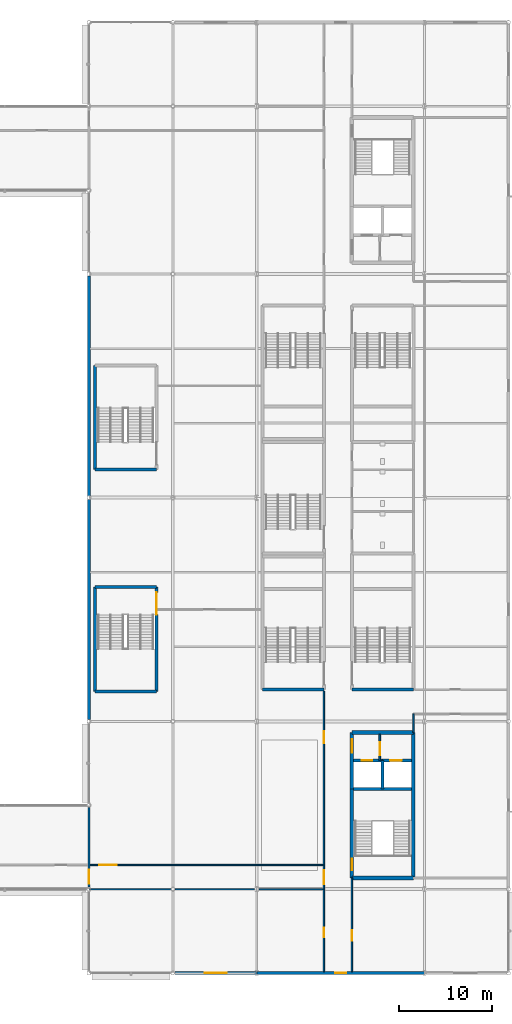
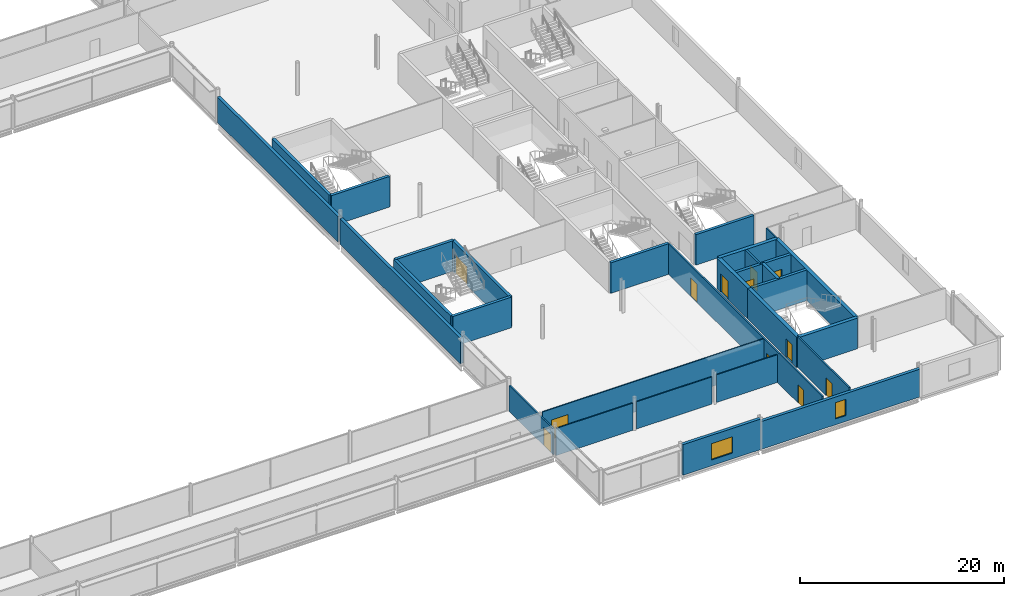
# One storey, part 60 of 96: 30 walls, 12 doors, 2 windows, 14 openings.
"""IFC4 building model written with IfcOpenShell, lengths in metres."""

from ifc_helpers import new_model, si_unit, direction, frame, frame_2d, origin, place, context, subcontext, project, spatial, rectangle, extrude, material, layer, layer_set, type_object, element, fill, save


model = new_model("IFC4")

# Units and contexts
model_context = context("Model", 3, precision=1e-05, world=origin(), true_north=direction((0.0, 1.0)))
body_context = subcontext(model_context, "Body", "Model", "MODEL_VIEW")
ifc_project = project(units=[si_unit("LENGTHUNIT", "METRE"), si_unit("AREAUNIT", "SQUARE_METRE"), si_unit("VOLUMEUNIT", "CUBIC_METRE"), si_unit("PLANEANGLEUNIT", "RADIAN"), si_unit("MASSUNIT", "GRAM", prefix="KILO")], contexts=[model_context])

# Site, building, storey
site_placement = place(None, origin())
site = spatial("IfcSite", under=ifc_project, at=site_placement, CompositionType="ELEMENT")
building_placement = place(site_placement, origin())
building = spatial("IfcBuilding", under=site, at=building_placement, Name="Kisiwana Market Hall", CompositionType="ELEMENT")
storey_placement = place(building_placement, frame((0.0, 0.0, 25.5)))
storey = spatial("IfcBuildingStorey", under=building, at=storey_placement, Name="L05", CompositionType="ELEMENT", Elevation=25.5)

# Wall, opening, door
ifc_material_1 = material(Name="Masonry blockwork", Category="masonry")
ifc_layer_1 = layer(ifc_material_1, 0.199951171875, Name="Plastered fire compartment block wall")
ifc_layer_set_1 = layer_set([ifc_layer_1], Name="WL-COMP-200")
wall_type_1 = type_object("IfcWallType", Name="WL-COMP-200", PredefinedType="PARTITIONING", material=ifc_layer_set_1)
wall_1_placement = place(storey_placement, frame((184.199951171875, 31.820068359375, 0.0), z_axis=(0.0, 0.0, 1.0), x_axis=(0.0, 1.0, 0.0)))
wall_1 = element("IfcWall", 1, at=wall_1_placement, inside=storey, type_object=wall_type_1, Name="Core E2 firefighting lobby wall W-1828", PredefinedType="PARTITIONING", context=body_context, shape_type="SweptSolid", body=[
    extrude(rectangle(XDim=2.780029296875, YDim=0.199951171875, at=frame_2d((1.39013671875, 0.0))), origin(), (0.0, 0.0, 1.0), 3.655029296875),
])
opening_1_placement = place(wall_1_placement, frame((0.550048828125, 0.0, 0.0)))
opening_1 = element("IfcOpeningElement", 2, at=opening_1_placement, cuts=wall_1, Name="Opening DR-L05-009", PredefinedType="OPENING", context=body_context, shape_type="SweptSolid", body=[
    extrude(rectangle(XDim=1.39990234375, YDim=2.25, at=frame_2d((0.699951171875, 1.125))), frame((0.0, 0.11181640625, 0.0), z_axis=(0.0, -1.0, 0.0), x_axis=(1.0, 0.0, 0.0)), (0.0, 0.0, 1.0), 0.223876953125),
])
ifc_material_2 = material(Name="Steel S275", Category="steel")
door_type_1 = type_object("IfcDoorType", Name="DR-FFLOB-FD120-1400", OperationType="DOUBLE_DOOR_SINGLE_SWING", PredefinedType="DOOR", material=ifc_material_2)
door_1_placement = place(opening_1_placement, origin())
door_1 = element("IfcDoor", 3, at=door_1_placement, inside=storey, type_object=door_type_1, Name="Firefighting Lift Lobby E2 Door (L05)", OperationType="DOUBLE_DOOR_SINGLE_SWING", OverallHeight=2.25, OverallWidth=1.39990234375, PredefinedType="DOOR", context=body_context, shape_type="SweptSolid", body=[
    extrude(rectangle(XDim=1.39990234375, YDim=2.25, at=frame_2d((0.699951171875, 1.125))), frame((0.0, 0.02490234375, 0.0), z_axis=(0.0, -1.0, 0.0), x_axis=(1.0, 0.0, 0.0)), (0.0, 0.0, 1.0), 0.050048828125),
])
fill(opening_1, door_1)

# Walls
ifc_material_3 = material(Name="Concrete C40/50", Category="concrete")
ifc_layer_2 = layer(ifc_material_3, 0.320068359375, Name="Reinforced concrete shaft wall")
ifc_layer_set_2 = layer_set([ifc_layer_2], Name="WL-CORE-320")
wall_type_2 = type_object("IfcWallType", Name="WL-CORE-320", PredefinedType="SHEAR", material=ifc_layer_set_2)
wall_2_placement = place(storey_placement, frame((181.39990234375, 28.760009765625, 0.0), z_axis=(0.0, 0.0, 1.0), x_axis=(1.0, 0.0, 0.0)))
element("IfcWall", 4, at=wall_2_placement, inside=storey, type_object=wall_type_2, Name="Core E2 shaft back shear wall W-1725", PredefinedType="SHEAR", context=body_context, shape_type="SweptSolid", body=[
    extrude(rectangle(XDim=6.2001953125, YDim=0.320068359375, at=frame_2d((3.10009765625, 0.0))), origin(), (0.0, 0.0, 1.0), 3.655029296875),
])
wall_3_placement = place(storey_placement, frame((184.5, 28.760009765625, 0.0), z_axis=(0.0, 0.0, 1.0), x_axis=(0.0, 1.0, 0.0)))
element("IfcWall", 5, at=wall_3_placement, inside=storey, type_object=wall_type_2, Name="Core E2 inter-shaft shear wall W-1726", PredefinedType="SHEAR", context=body_context, shape_type="SweptSolid", body=[
    extrude(rectangle(XDim=3.06005859375, YDim=0.320068359375, at=frame_2d((1.530029296875, 0.0))), origin(), (0.0, 0.0, 1.0), 3.655029296875),
])

# Wall, opening, door
wall_4_placement = place(storey_placement, frame((181.39990234375, 31.820068359375, 0.0), z_axis=(0.0, 0.0, 1.0), x_axis=(1.0, 0.0, 0.0)))
wall_4 = element("IfcWall", 6, at=wall_4_placement, inside=storey, type_object=wall_type_2, Name="Core E2 west lift front wall W-1727", PredefinedType="SHEAR", context=body_context, shape_type="SweptSolid", body=[
    extrude(rectangle(XDim=3.10009765625, YDim=0.320068359375, at=frame_2d((1.550048828125, 0.0))), origin(), (0.0, 0.0, 1.0), 3.655029296875),
])
opening_2_placement = place(wall_4_placement, frame((0.85009765625, 0.0, 0.0)))
opening_2 = element("IfcOpeningElement", 7, at=opening_2_placement, cuts=wall_4, Name="Opening LD-L05-005", PredefinedType="OPENING", context=body_context, shape_type="SweptSolid", body=[
    extrude(rectangle(XDim=1.14990234375, YDim=2.199951171875, at=frame_2d((0.574951171875, 1.10009765625))), frame((0.0, 0.171875, 0.0), z_axis=(0.0, -1.0, 0.0), x_axis=(1.0, 0.0, 0.0)), (0.0, 0.0, 1.0), 0.343994140625),
])
ifc_material_4 = material(Name="Steel S275", Category="steel")
door_type_2 = type_object("IfcDoorType", Name="DR-LIFT-PAX-1150", OperationType="DOUBLE_DOOR_SLIDING", PredefinedType="DOOR", material=ifc_material_4)
door_2_placement = place(opening_2_placement, origin())
door_2 = element("IfcDoor", 8, at=door_2_placement, inside=storey, type_object=door_type_2, Name="Lift Landing Door LP-03 (L05)", OperationType="DOUBLE_DOOR_SLIDING", OverallHeight=2.199951171875, OverallWidth=1.14990234375, PredefinedType="DOOR", context=body_context, shape_type="SweptSolid", body=[
    extrude(rectangle(XDim=1.14990234375, YDim=2.199951171875, at=frame_2d((0.574951171875, 1.10009765625))), frame((0.0, 0.02490234375, 0.0), z_axis=(0.0, -1.0, 0.0), x_axis=(1.0, 0.0, 0.0)), (0.0, 0.0, 1.0), 0.050048828125),
])
fill(opening_2, door_2)

wall_5_placement = place(storey_placement, frame((184.5, 31.820068359375, 0.0), z_axis=(0.0, 0.0, 1.0), x_axis=(1.0, 0.0, 0.0)))
wall_5 = element("IfcWall", 9, at=wall_5_placement, inside=storey, type_object=wall_type_2, Name="Core E2 east lift front wall W-1728", PredefinedType="SHEAR", context=body_context, shape_type="SweptSolid", body=[
    extrude(rectangle(XDim=3.10009765625, YDim=0.320068359375, at=frame_2d((1.550048828125, 0.0))), origin(), (0.0, 0.0, 1.0), 3.655029296875),
])
opening_3_placement = place(wall_5_placement, frame((0.800048828125, 0.0, 0.0)))
opening_3 = element("IfcOpeningElement", 10, at=opening_3_placement, cuts=wall_5, Name="Opening LD-L05-006", PredefinedType="OPENING", context=body_context, shape_type="SweptSolid", body=[
    extrude(rectangle(XDim=1.25, YDim=2.25, at=frame_2d((0.625, 1.125))), frame((0.0, 0.171875, 0.0), z_axis=(0.0, -1.0, 0.0), x_axis=(1.0, 0.0, 0.0)), (0.0, 0.0, 1.0), 0.343994140625),
])
ifc_material_5 = material(Name="Steel S275", Category="steel")
door_type_3 = type_object("IfcDoorType", Name="DR-LIFT-FFL-1250", OperationType="DOUBLE_DOOR_SLIDING", PredefinedType="DOOR", material=ifc_material_5)
door_3_placement = place(opening_3_placement, origin())
door_3 = element("IfcDoor", 11, at=door_3_placement, inside=storey, type_object=door_type_3, Name="Lift Landing Door FFL-03 (L05)", OperationType="DOUBLE_DOOR_SLIDING", OverallHeight=2.25, OverallWidth=1.25, PredefinedType="DOOR", context=body_context, shape_type="SweptSolid", body=[
    extrude(rectangle(XDim=1.25, YDim=2.25, at=frame_2d((0.625, 1.125))), frame((0.0, 0.02490234375, 0.0), z_axis=(0.0, -1.0, 0.0), x_axis=(1.0, 0.0, 0.0)), (0.0, 0.0, 1.0), 0.050048828125),
])
fill(opening_3, door_3)

# Walls
wall_6_placement = place(storey_placement, frame((181.199951171875, 39.39990234375, 0.0), z_axis=(0.0, 0.0, 1.0), x_axis=(1.0, 0.0, 0.0)))
element("IfcWall", 12, at=wall_6_placement, inside=storey, type_object=wall_type_2, Name="Core E3 south shear wall W-1748", PredefinedType="SHEAR", context=body_context, shape_type="SweptSolid", body=[
    extrude(rectangle(XDim=6.60009765625, YDim=0.320068359375, at=frame_2d((3.300048828125, 0.0))), origin(), (0.0, 0.0, 1.0), 3.655029296875),
])
wall_7_placement = place(storey_placement, frame((171.60009765625, 39.39990234375, 0.0), z_axis=(0.0, 0.0, 1.0), x_axis=(1.0, 0.0, 0.0)))
element("IfcWall", 13, at=wall_7_placement, inside=storey, type_object=wall_type_2, Name="Core E7 south shear wall W-1763", PredefinedType="SHEAR", context=body_context, shape_type="SweptSolid", body=[
    extrude(rectangle(XDim=6.599853515625, YDim=0.320068359375, at=frame_2d((3.2998046875, 0.0))), origin(), (0.0, 0.0, 1.0), 3.655029296875),
])
for number, where, z_axis, x_axis, name in (
    (14, (153.6298828125, 39.199951171875, 0.0), (0.0, 0.0, 1.0), (1.0, 0.0, 0.0), "Core E9 south shear wall W-1782"),
    (15, (153.6298828125, 50.39990234375, 0.0), (0.0, 0.0, 1.0), (1.0, 0.0, 0.0), "Core E9 north shear wall W-1783"),
):
    element("IfcWall", number, at=place(storey_placement, frame(where, z_axis=z_axis, x_axis=x_axis)), inside=storey, type_object=wall_type_2, Name=name, PredefinedType="SHEAR", context=body_context, shape_type="SweptSolid", body=[
        extrude(rectangle(XDim=6.60009765625, YDim=0.320068359375, at=frame_2d((3.300048828125, 0.0))), origin(), (0.0, 0.0, 1.0), 3.655029296875),
    ])
wall_8_placement = place(storey_placement, frame((153.6298828125, 39.199951171875, 0.0), z_axis=(0.0, 0.0, 1.0), x_axis=(0.0, 1.0, 0.0)))
element("IfcWall", 16, at=wall_8_placement, inside=storey, type_object=wall_type_2, Name="Core E9 outer shear wall W-1784", PredefinedType="SHEAR", context=body_context, shape_type="SweptSolid", body=[
    extrude(rectangle(XDim=11.199951171875, YDim=0.320068359375, at=frame_2d((5.60009765625, 0.0))), origin(), (0.0, 0.0, 1.0), 3.655029296875),
])

# Wall, opening, door
wall_9_placement = place(storey_placement, frame((160.22998046875, 39.199951171875, 0.0), z_axis=(0.0, 0.0, 1.0), x_axis=(0.0, 1.0, 0.0)))
wall_9 = element("IfcWall", 17, at=wall_9_placement, inside=storey, type_object=wall_type_2, Name="Core E9 corridor shear wall W-1785", PredefinedType="SHEAR", context=body_context, shape_type="SweptSolid", body=[
    extrude(rectangle(XDim=11.199951171875, YDim=0.320068359375, at=frame_2d((5.60009765625, 0.0))), origin(), (0.0, 0.0, 1.0), 3.655029296875),
])
opening_4_placement = place(wall_9_placement, frame((8.25, 0.0, 0.0)))
opening_4 = element("IfcOpeningElement", 18, at=opening_4_placement, cuts=wall_9, Name="Opening DR-L05-022", PredefinedType="OPENING", context=body_context, shape_type="SweptSolid", body=[
    extrude(rectangle(XDim=2.39990234375, YDim=2.25, at=frame_2d((1.199951171875, 1.125))), frame((0.0, 0.171875, 0.0), z_axis=(0.0, -1.0, 0.0), x_axis=(1.0, 0.0, 0.0)), (0.0, 0.0, 1.0), 0.343994140625),
])
ifc_material_6 = material(Name="Steel S275", Category="steel")
door_type_4 = type_object("IfcDoorType", Name="DR-STAIR-FD120-2400", OperationType="DOUBLE_DOOR_SINGLE_SWING", PredefinedType="DOOR", material=ifc_material_6)
door_4_placement = place(opening_4_placement, origin())
door_4 = element("IfcDoor", 19, at=door_4_placement, inside=storey, type_object=door_type_4, Name="Escape Stair E9 Fire Door (L05)", OperationType="DOUBLE_DOOR_SINGLE_SWING", OverallHeight=2.25, OverallWidth=2.39990234375, PredefinedType="DOOR", context=body_context, shape_type="SweptSolid", body=[
    extrude(rectangle(XDim=2.39990234375, YDim=2.25, at=frame_2d((1.199951171875, 1.125))), frame((0.0, 0.02490234375, 0.0), z_axis=(0.0, -1.0, 0.0), x_axis=(1.0, 0.0, 0.0)), (0.0, 0.0, 1.0), 0.050048828125),
])
fill(opening_4, door_4)

# Walls
wall_10_placement = place(storey_placement, frame((153.6298828125, 63.0, 0.0), z_axis=(0.0, 0.0, 1.0), x_axis=(1.0, 0.0, 0.0)))
element("IfcWall", 20, at=wall_10_placement, inside=storey, type_object=wall_type_2, Name="Core E10 south shear wall W-1790", PredefinedType="SHEAR", context=body_context, shape_type="SweptSolid", body=[
    extrude(rectangle(XDim=6.60009765625, YDim=0.320068359375, at=frame_2d((3.300048828125, 0.0))), origin(), (0.0, 0.0, 1.0), 3.655029296875),
])
wall_11_placement = place(storey_placement, frame((153.6298828125, 63.0, 0.0), z_axis=(0.0, 0.0, 1.0), x_axis=(0.0, 1.0, 0.0)))
element("IfcWall", 21, at=wall_11_placement, inside=storey, type_object=wall_type_2, Name="Core E10 outer shear wall W-1792", PredefinedType="SHEAR", context=body_context, shape_type="SweptSolid", body=[
    extrude(rectangle(XDim=11.199951171875, YDim=0.320068359375, at=frame_2d((5.60009765625, 0.0))), origin(), (0.0, 0.0, 1.0), 3.655029296875),
])
ifc_material_7 = material(Name="Concrete C40/50", Category="concrete")
ifc_layer_3 = layer(ifc_material_7, 0.39990234375, Name="Reinforced concrete core wall")
ifc_layer_set_3 = layer_set([ifc_layer_3], Name="WL-CORE-400")
wall_type_3 = type_object("IfcWallType", Name="WL-CORE-400", PredefinedType="SHEAR", material=ifc_layer_set_3)
for number, where, z_axis, x_axis, name in (
    (22, (181.199951171875, 19.199951171875, 0.0), (0.0, 0.0, 1.0), (1.0, 0.0, 0.0), "Core E2 south shear wall W-1720"),
    (23, (181.199951171875, 34.800048828125, 0.0), (0.0, 0.0, 1.0), (1.0, 0.0, 0.0), "Core E2 north shear wall W-1721"),
):
    element("IfcWall", number, at=place(storey_placement, frame(where, z_axis=z_axis, x_axis=x_axis)), inside=storey, type_object=wall_type_3, Name=name, PredefinedType="SHEAR", context=body_context, shape_type="SweptSolid", body=[
        extrude(rectangle(XDim=6.60009765625, YDim=0.39990234375, at=frame_2d((3.300048828125, 0.0))), origin(), (0.0, 0.0, 1.0), 3.655029296875),
    ])
wall_12_placement = place(storey_placement, frame((187.800048828125, 19.199951171875, 0.0), z_axis=(0.0, 0.0, 1.0), x_axis=(0.0, 1.0, 0.0)))
element("IfcWall", 24, at=wall_12_placement, inside=storey, type_object=wall_type_3, Name="Core E2 outer shear wall W-1722", PredefinedType="SHEAR", context=body_context, shape_type="SweptSolid", body=[
    extrude(rectangle(XDim=15.60009765625, YDim=0.39990234375, at=frame_2d((7.800048828125, 0.0))), origin(), (0.0, 0.0, 1.0), 3.655029296875),
])

# Wall, opening, door
wall_13_placement = place(storey_placement, frame((181.199951171875, 19.199951171875, 0.0), z_axis=(0.0, 0.0, 1.0), x_axis=(0.0, 1.0, 0.0)))
wall_13 = element("IfcWall", 25, at=wall_13_placement, inside=storey, type_object=wall_type_3, Name="Core E2 stair corridor shear wall W-1723", PredefinedType="SHEAR", context=body_context, shape_type="SweptSolid", body=[
    extrude(rectangle(XDim=9.56005859375, YDim=0.39990234375, at=frame_2d((4.780029296875, 0.0))), origin(), (0.0, 0.0, 1.0), 3.655029296875),
])
opening_5_placement = place(wall_13_placement, frame((0.85009765625, 0.0, 0.0)))
opening_5 = element("IfcOpeningElement", 26, at=opening_5_placement, cuts=wall_13, Name="Opening DR-L05-007", PredefinedType="OPENING", context=body_context, shape_type="SweptSolid", body=[
    extrude(rectangle(XDim=1.199951171875, YDim=2.199951171875, at=frame_2d((0.60009765625, 1.10009765625))), frame((0.0, 0.2119140625, 0.0), z_axis=(0.0, -1.0, 0.0), x_axis=(1.0, 0.0, 0.0)), (0.0, 0.0, 1.0), 0.423828125),
])
ifc_material_8 = material(Name="Steel S275", Category="steel")
door_type_5 = type_object("IfcDoorType", Name="DR-STAIR-FD120-1200", OperationType="NOTDEFINED", PredefinedType="DOOR", material=ifc_material_8)
door_5_placement = place(opening_5_placement, frame((1.199951171875, 0.0, 0.0), z_axis=(0.0, 0.0, 1.0), x_axis=(-1.0, 0.0, 0.0)))
door_5 = element("IfcDoor", 27, at=door_5_placement, inside=storey, type_object=door_type_5, Name="Escape Stair E2 Fire Door (L05)", OperationType="SINGLE_SWING_RIGHT", OverallHeight=2.199951171875, OverallWidth=1.199951171875, PredefinedType="DOOR", context=body_context, shape_type="SweptSolid", body=[
    extrude(rectangle(XDim=1.199951171875, YDim=2.199951171875, at=frame_2d((0.60009765625, 1.10009765625))), frame((0.0, 0.02490234375, 0.0), z_axis=(0.0, -1.0, 0.0), x_axis=(1.0, 0.0, 0.0)), (0.0, 0.0, 1.0), 0.050048828125),
])
fill(opening_5, door_5)

wall_14_placement = place(storey_placement, frame((181.199951171875, 28.760009765625, 0.0), z_axis=(0.0, 0.0, 1.0), x_axis=(0.0, 1.0, 0.0)))
wall_14 = element("IfcWall", 28, at=wall_14_placement, inside=storey, type_object=wall_type_3, Name="Core E2 lobby corridor shear wall W-1724", PredefinedType="SHEAR", context=body_context, shape_type="SweptSolid", body=[
    extrude(rectangle(XDim=6.0400390625, YDim=0.39990234375, at=frame_2d((3.02001953125, 0.0))), origin(), (0.0, 0.0, 1.0), 3.655029296875),
])
opening_6_placement = place(wall_14_placement, frame((3.85009765625, 0.0, 0.0)))
opening_6 = element("IfcOpeningElement", 29, at=opening_6_placement, cuts=wall_14, Name="Opening DR-L05-008", PredefinedType="OPENING", context=body_context, shape_type="SweptSolid", body=[
    extrude(rectangle(XDim=1.5, YDim=2.199951171875, at=frame_2d((0.75, 1.10009765625))), frame((0.0, 0.2119140625, 0.0), z_axis=(0.0, -1.0, 0.0), x_axis=(1.0, 0.0, 0.0)), (0.0, 0.0, 1.0), 0.423828125),
])
ifc_material_9 = material(Name="Steel S275", Category="steel")
door_type_6 = type_object("IfcDoorType", Name="DR-CORR-FD60-1500", OperationType="DOUBLE_DOOR_SINGLE_SWING", PredefinedType="DOOR", material=ifc_material_9)
door_6_placement = place(opening_6_placement, origin())
door_6 = element("IfcDoor", 30, at=door_6_placement, inside=storey, type_object=door_type_6, Name="Passenger Lift Lobby E2 Smoke Door (L05)", OperationType="DOUBLE_DOOR_SINGLE_SWING", OverallHeight=2.199951171875, OverallWidth=1.5, PredefinedType="DOOR", context=body_context, shape_type="SweptSolid", body=[
    extrude(rectangle(XDim=1.5, YDim=2.199951171875, at=frame_2d((0.75, 1.10009765625))), frame((0.0, 0.02490234375, 0.0), z_axis=(0.0, -1.0, 0.0), x_axis=(1.0, 0.0, 0.0)), (0.0, 0.0, 1.0), 0.050048828125),
])
fill(opening_6, door_6)

ifc_material_10 = material(Name="Masonry blockwork", Category="masonry")
ifc_layer_4 = layer(ifc_material_10, 0.169921875, Name="Protected corridor partition")
ifc_layer_set_4 = layer_set([ifc_layer_4], Name="WL-CORR-170")
wall_type_4 = type_object("IfcWallType", Name="WL-CORR-170", PredefinedType="PARTITIONING", material=ifc_layer_set_4)
wall_15_placement = place(storey_placement, frame((181.199951171875, 9.157470703125, 0.0), z_axis=(0.0, 0.0, 1.0), x_axis=(0.0, 1.0, 0.0)))
wall_15 = element("IfcWall", 31, at=wall_15_placement, inside=storey, type_object=wall_type_4, Name="Interior partition W-1870", PredefinedType="PARTITIONING", context=body_context, shape_type="SweptSolid", body=[
    extrude(rectangle(XDim=10.04248046875, YDim=0.169921875, at=frame_2d((5.021240234375, 0.0))), origin(), (0.0, 0.0, 1.0), 3.655029296875),
])
opening_7_placement = place(wall_15_placement, frame((3.300048828125, 0.0, 0.0)))
opening_7 = element("IfcOpeningElement", 32, at=opening_7_placement, cuts=wall_15, Name="Opening DR-L05-052", PredefinedType="OPENING", context=body_context, shape_type="SweptSolid", body=[
    extrude(rectangle(XDim=1.14990234375, YDim=2.14990234375, at=frame_2d((0.574951171875, 1.074951171875))), frame((0.0, 0.096923828125, 0.0), z_axis=(0.0, -1.0, 0.0), x_axis=(1.0, 0.0, 0.0)), (0.0, 0.0, 1.0), 0.19384765625),
])
ifc_material_11 = material(Name="Aluminium alloy 6063-T6", Category="aluminium")
door_type_7 = type_object("IfcDoorType", Name="DR-MEET-1150", OperationType="NOTDEFINED", PredefinedType="DOOR", material=ifc_material_11)
door_7_placement = place(opening_7_placement, frame((1.14990234375, 0.0, 0.0), z_axis=(0.0, 0.0, 1.0), x_axis=(-1.0, 0.0, 0.0)))
door_7 = element("IfcDoor", 33, at=door_7_placement, inside=storey, type_object=door_type_7, Name="L05 E Corner Office Suite South Door", OperationType="SINGLE_SWING_RIGHT", OverallHeight=2.14990234375, OverallWidth=1.14990234375, PredefinedType="DOOR", context=body_context, shape_type="SweptSolid", body=[
    extrude(rectangle(XDim=1.14990234375, YDim=2.14990234375, at=frame_2d((0.574951171875, 1.074951171875))), frame((0.0, 0.02490234375, 0.0), z_axis=(0.0, -1.0, 0.0), x_axis=(1.0, 0.0, 0.0)), (0.0, 0.0, 1.0), 0.050048828125),
])
fill(opening_7, door_7)

# Wall, openings, doors
wall_16_placement = place(storey_placement, frame((178.199951171875, 9.157470703125, 0.0), z_axis=(0.0, 0.0, 1.0), x_axis=(0.0, 1.0, 0.0)))
wall_16 = element("IfcWall", 34, at=wall_16_placement, inside=storey, type_object=wall_type_4, Name="Interior partition W-1882", PredefinedType="PARTITIONING", context=body_context, shape_type="SweptSolid", body=[
    extrude(rectangle(XDim=30.08251953125, YDim=0.169921875, at=frame_2d((15.041259765625, 0.0))), origin(), (0.0, 0.0, 1.0), 3.655029296875),
])
opening_8_placement = place(wall_16_placement, frame((3.701904296875, 0.0, 0.0)))
opening_8 = element("IfcOpeningElement", 35, at=opening_8_placement, cuts=wall_16, Name="Opening DR-L05-056", PredefinedType="OPENING", context=body_context, shape_type="SweptSolid", body=[
    extrude(rectangle(XDim=1.0, YDim=2.14990234375, at=frame_2d((0.5, 1.074951171875))), frame((0.0, 0.096923828125, 0.0), z_axis=(0.0, -1.0, 0.0), x_axis=(1.0, 0.0, 0.0)), (0.0, 0.0, 1.0), 0.19384765625),
])
opening_9_placement = place(wall_16_placement, frame((9.39306640625, 0.0, 0.0)))
opening_9 = element("IfcOpeningElement", 36, at=opening_9_placement, cuts=wall_16, Name="Opening DR-L05-057", PredefinedType="OPENING", context=body_context, shape_type="SweptSolid", body=[
    extrude(rectangle(XDim=1.5, YDim=2.199951171875, at=frame_2d((0.75, 1.10009765625))), frame((0.0, 0.096923828125, 0.0), z_axis=(0.0, -1.0, 0.0), x_axis=(1.0, 0.0, 0.0)), (0.0, 0.0, 1.0), 0.19384765625),
])
opening_10_placement = place(wall_16_placement, frame((24.501953125, 0.0, 0.0)))
opening_10 = element("IfcOpeningElement", 37, at=opening_10_placement, cuts=wall_16, Name="Opening DR-L05-058", PredefinedType="OPENING", context=body_context, shape_type="SweptSolid", body=[
    extrude(rectangle(XDim=1.280029296875, YDim=2.199951171875, at=frame_2d((0.64013671875, 1.10009765625))), frame((0.0, 0.096923828125, 0.0), z_axis=(0.0, -1.0, 0.0), x_axis=(1.0, 0.0, 0.0)), (0.0, 0.0, 1.0), 0.19384765625),
])
door_8_placement = place(opening_9_placement, origin())
door_8 = element("IfcDoor", 38, at=door_8_placement, inside=storey, type_object=door_type_6, Name="L05 E South Skybridge Link Corridor Door", OperationType="DOUBLE_DOOR_SINGLE_SWING", OverallHeight=2.199951171875, OverallWidth=1.5, PredefinedType="DOOR", context=body_context, shape_type="SweptSolid", body=[
    extrude(rectangle(XDim=1.5, YDim=2.199951171875, at=frame_2d((0.75, 1.10009765625))), frame((0.0, 0.02490234375, 0.0), z_axis=(0.0, -1.0, 0.0), x_axis=(1.0, 0.0, 0.0)), (0.0, 0.0, 1.0), 0.050048828125),
])
fill(opening_9, door_8)
ifc_material_12 = material(Name="Hardwood timber", Category="wood")
door_type_8 = type_object("IfcDoorType", Name="DR-MEET-1280", OperationType="NOTDEFINED", PredefinedType="DOOR", material=ifc_material_12)
door_9_placement = place(opening_10_placement, origin())
door_9 = element("IfcDoor", 39, at=door_9_placement, inside=storey, type_object=door_type_8, Name="L05 E Meeting Room A2 Door", OperationType="SINGLE_SWING_RIGHT", OverallHeight=2.199951171875, OverallWidth=1.280029296875, PredefinedType="DOOR", context=body_context, shape_type="SweptSolid", body=[
    extrude(rectangle(XDim=1.280029296875, YDim=2.199951171875, at=frame_2d((0.64013671875, 1.10009765625))), frame((0.0, 0.02490234375, 0.0), z_axis=(0.0, -1.0, 0.0), x_axis=(1.0, 0.0, 0.0)), (0.0, 0.0, 1.0), 0.050048828125),
])
fill(opening_10, door_9)
ifc_material_13 = material(Name="Aluminium alloy 6063-T6", Category="aluminium")
door_type_9 = type_object("IfcDoorType", Name="DR-OFF-1000", OperationType="NOTDEFINED", PredefinedType="DOOR", material=ifc_material_13)
door_10_placement = place(opening_8_placement, origin())
door_10 = element("IfcDoor", 40, at=door_10_placement, inside=storey, type_object=door_type_9, Name="L05 E Commercial Office A1 Door", OperationType="SINGLE_SWING_LEFT", OverallHeight=2.14990234375, OverallWidth=1.0, PredefinedType="DOOR", context=body_context, shape_type="SweptSolid", body=[
    extrude(rectangle(XDim=1.0, YDim=2.14990234375, at=frame_2d((0.5, 1.074951171875))), frame((0.0, 0.02490234375, 0.0), z_axis=(0.0, -1.0, 0.0), x_axis=(1.0, 0.0, 0.0)), (0.0, 0.0, 1.0), 0.050048828125),
])
fill(opening_8, door_10)

# Wall, opening, door
wall_17_placement = place(storey_placement, frame((153.0, 18.219970703125, 0.0), z_axis=(0.0, 0.0, 1.0), x_axis=(0.0, 1.0, 0.0)))
wall_17 = element("IfcWall", 41, at=wall_17_placement, inside=storey, type_object=wall_type_4, Name="Interior partition W-1884", PredefinedType="PARTITIONING", context=body_context, shape_type="SweptSolid", body=[
    extrude(rectangle(XDim=8.56005859375, YDim=0.169921875, at=frame_2d((4.280029296875, 0.0))), origin(), (0.0, 0.0, 1.0), 3.101806640625),
])
opening_11_placement = place(wall_17_placement, frame((0.3798828125, 0.0, 0.0)))
opening_11 = element("IfcOpeningElement", 42, at=opening_11_placement, cuts=wall_17, Name="Opening DR-L05-063", PredefinedType="OPENING", context=body_context, shape_type="SweptSolid", body=[
    extrude(rectangle(XDim=1.5, YDim=2.199951171875, at=frame_2d((0.75, 1.10009765625))), frame((0.0, 0.096923828125, 0.0), z_axis=(0.0, -1.0, 0.0), x_axis=(1.0, 0.0, 0.0)), (0.0, 0.0, 1.0), 0.19384765625),
])
door_11_placement = place(opening_11_placement, origin())
door_11 = element("IfcDoor", 43, at=door_11_placement, inside=storey, type_object=door_type_6, Name="L05 E South Skybridge Spine Door", OperationType="DOUBLE_DOOR_SINGLE_SWING", OverallHeight=2.199951171875, OverallWidth=1.5, PredefinedType="DOOR", context=body_context, shape_type="SweptSolid", body=[
    extrude(rectangle(XDim=1.5, YDim=2.199951171875, at=frame_2d((0.75, 1.10009765625))), frame((0.0, 0.02490234375, 0.0), z_axis=(0.0, -1.0, 0.0), x_axis=(1.0, 0.0, 0.0)), (0.0, 0.0, 1.0), 0.050048828125),
])
fill(opening_11, door_11)

# Wall, opening, window
ifc_material_14 = material(Name="Concrete C40/50 precast", Category="concrete")
ifc_layer_5 = layer(ifc_material_14, 0.14990234375, Name="Precast architectural concrete spandrel")
ifc_material_15 = material(Name="Mineral wool insulation")
ifc_layer_6 = layer(ifc_material_15, 0.090087890625, Name="Rockwool thermal insulation")
ifc_material_16 = material(Name="Masonry blockwork", Category="masonry")
ifc_layer_7 = layer(ifc_material_16, 0.10009765625, Name="Inner masonry block leaf")
ifc_layer_set_5 = layer_set([ifc_layer_5, ifc_layer_6, ifc_layer_7], Name="WL-EXT-PREC-340")
wall_type_5 = type_object("IfcWallType", Name="WL-EXT-PREC-340", PredefinedType="STANDARD", material=ifc_layer_set_5)
wall_18_placement = place(storey_placement, frame((162.205078125, 9.0, 0.0), z_axis=(0.0, 0.0, 1.0), x_axis=(1.0, 0.0, 0.0)))
wall_18 = element("IfcWall", 44, at=wall_18_placement, inside=storey, type_object=wall_type_5, Name="Exterior wall W-1804", PredefinedType="STANDARD", context=body_context, shape_type="SweptSolid", body=[
    extrude(rectangle(XDim=8.784912109375, YDim=0.340087890625, at=frame_2d((4.392578125, 0.0))), origin(), (0.0, 0.0, 1.0), 3.655029296875),
])
opening_12_placement = place(wall_18_placement, frame((3.1923828125, 0.0, 0.699951171875)))
opening_12 = element("IfcOpeningElement", 45, at=opening_12_placement, cuts=wall_18, Name="Opening WN-27", PredefinedType="OPENING", context=body_context, shape_type="SweptSolid", body=[
    extrude(rectangle(XDim=2.39990234375, YDim=1.949951171875, at=frame_2d((1.199951171875, 0.97509765625))), frame((0.0, 0.18212890625, 0.0), z_axis=(0.0, -1.0, 0.0), x_axis=(1.0, 0.0, 0.0)), (0.0, 0.0, 1.0), 0.364013671875),
])
ifc_material_17 = material(Name="Double-glazed solar-control low-E IGU", Category="glass")
window_type_1 = type_object("IfcWindowType", Name="WN-OFFA-2400x1950", PartitioningType="SINGLE_PANEL", PredefinedType="WINDOW", material=ifc_material_17)
window_1_placement = place(opening_12_placement, origin())
window_1 = element("IfcWindow", 46, at=window_1_placement, inside=storey, type_object=window_type_1, Name="Exterior window WN-180", OverallHeight=1.949951171875, OverallWidth=2.39990234375, PartitioningType="SINGLE_PANEL", PredefinedType="WINDOW", context=body_context, shape_type="SweptSolid", body=[
    extrude(rectangle(XDim=2.39990234375, YDim=1.949951171875, at=frame_2d((1.199951171875, 0.97509765625))), frame((0.0, 0.030029296875, 0.0), z_axis=(0.0, -1.0, 0.0), x_axis=(1.0, 0.0, 0.0)), (0.0, 0.0, 1.0), 0.06005859375),
])
fill(opening_12, window_1)

wall_19_placement = place(storey_placement, frame((171.010009765625, 9.0, 0.0), z_axis=(0.0, 0.0, 1.0), x_axis=(1.0, 0.0, 0.0)))
wall_19 = element("IfcWall", 47, at=wall_19_placement, inside=storey, type_object=wall_type_5, Name="Exterior wall W-1805", PredefinedType="STANDARD", context=body_context, shape_type="SweptSolid", body=[
    extrude(rectangle(XDim=17.97998046875, YDim=0.340087890625, at=frame_2d((8.989990234375, 0.0))), origin(), (0.0, 0.0, 1.0), 3.315185546875),
])
opening_13_placement = place(wall_19_placement, frame((8.389892578125, 0.0, 0.699951171875)))
opening_13 = element("IfcOpeningElement", 48, at=opening_13_placement, cuts=wall_19, Name="Opening WN-15", PredefinedType="OPENING", context=body_context, shape_type="SweptSolid", body=[
    extrude(rectangle(XDim=1.199951171875, YDim=1.949951171875, at=frame_2d((0.60009765625, 0.97509765625))), frame((0.0, 0.18212890625, 0.0), z_axis=(0.0, -1.0, 0.0), x_axis=(1.0, 0.0, 0.0)), (0.0, 0.0, 1.0), 0.364013671875),
])
ifc_material_18 = material(Name="Double-glazed solar-control low-E IGU", Category="glass")
window_type_2 = type_object("IfcWindowType", Name="WN-OFFA-1200x1950", PartitioningType="SINGLE_PANEL", PredefinedType="WINDOW", material=ifc_material_18)
window_2_placement = place(opening_13_placement, origin())
window_2 = element("IfcWindow", 49, at=window_2_placement, inside=storey, type_object=window_type_2, Name="Exterior window WN-168", OverallHeight=1.949951171875, OverallWidth=1.199951171875, PartitioningType="SINGLE_PANEL", PredefinedType="WINDOW", context=body_context, shape_type="SweptSolid", body=[
    extrude(rectangle(XDim=1.199951171875, YDim=1.949951171875, at=frame_2d((0.60009765625, 0.97509765625))), frame((0.0, 0.030029296875, 0.0), z_axis=(0.0, -1.0, 0.0), x_axis=(1.0, 0.0, 0.0)), (0.0, 0.0, 1.0), 0.06005859375),
])
fill(opening_13, window_2)

# Walls
for number, where, z_axis, x_axis, name in (
    (50, (153.0, 36.205078125, 0.0), (0.0, 0.0, 1.0), (0.0, 1.0, 0.0), "Exterior wall W-1819"),
    (51, (153.0, 60.205078125, 0.0), (0.0, 0.0, 1.0), (0.0, 1.0, 0.0), "Exterior wall W-1820"),
):
    element("IfcWall", number, at=place(storey_placement, frame(where, z_axis=z_axis, x_axis=x_axis)), inside=storey, type_object=wall_type_5, Name=name, PredefinedType="STANDARD", context=body_context, shape_type="SweptSolid", body=[
        extrude(rectangle(XDim=23.58984375, YDim=0.340087890625, at=frame_2d((11.794921875, 0.0))), origin(), (0.0, 0.0, 1.0), 3.042724609375),
    ])
ifc_material_19 = material(Name="Gypsum plasterboard")
ifc_layer_8 = layer(ifc_material_19, 0.125, Name="Double gypsum board + acoustic stud")
ifc_layer_set_6 = layer_set([ifc_layer_8], Name="WL-OFF-125")
wall_type_6 = type_object("IfcWallType", Name="WL-OFF-125", PredefinedType="PARTITIONING", material=ifc_layer_set_6)
wall_20_placement = place(storey_placement, frame((153.0849609375, 18.0, 0.0), z_axis=(0.0, 0.0, 1.0), x_axis=(1.0, 0.0, 0.0)))
element("IfcWall", 52, at=wall_20_placement, inside=storey, type_object=wall_type_6, Name="Interior partition W-1872", PredefinedType="PARTITIONING", context=body_context, shape_type="SweptSolid", body=[
    extrude(rectangle(XDim=8.7119140625, YDim=0.125, at=frame_2d((4.35595703125, 0.0))), origin(), (0.0, 0.0, 1.0), 3.24560546875),
])
wall_21_placement = place(storey_placement, frame((162.203125, 18.0, 0.0), z_axis=(0.0, 0.0, 1.0), x_axis=(1.0, 0.0, 0.0)))
element("IfcWall", 53, at=wall_21_placement, inside=storey, type_object=wall_type_6, Name="Interior partition W-1873", PredefinedType="PARTITIONING", context=body_context, shape_type="SweptSolid", body=[
    extrude(rectangle(XDim=8.546875, YDim=0.125, at=frame_2d((4.2734375, 0.0))), origin(), (0.0, 0.0, 1.0), 3.25244140625),
])
wall_22_placement = place(storey_placement, frame((171.25, 18.0, 0.0), z_axis=(0.0, 0.0, 1.0), x_axis=(1.0, 0.0, 0.0)))
element("IfcWall", 54, at=wall_22_placement, inside=storey, type_object=wall_type_6, Name="Interior partition W-1874", PredefinedType="PARTITIONING", context=body_context, shape_type="SweptSolid", body=[
    extrude(rectangle(XDim=6.864990234375, YDim=0.125, at=frame_2d((3.4326171875, 0.0))), origin(), (0.0, 0.0, 1.0), 3.315185546875),
])

# Wall, opening, door
wall_23_placement = place(storey_placement, frame((153.0849609375, 20.60009765625, 0.0), z_axis=(0.0, 0.0, 1.0), x_axis=(1.0, 0.0, 0.0)))
wall_23 = element("IfcWall", 55, at=wall_23_placement, inside=storey, type_object=wall_type_6, Name="Interior partition W-1875", PredefinedType="PARTITIONING", context=body_context, shape_type="SweptSolid", body=[
    extrude(rectangle(XDim=25.030029296875, YDim=0.125, at=frame_2d((12.51513671875, 0.0))), origin(), (0.0, 0.0, 1.0), 3.655029296875),
])
opening_14_placement = place(wall_23_placement, frame((0.9951171875, 0.0, 0.0)))
opening_14 = element("IfcOpeningElement", 56, at=opening_14_placement, cuts=wall_23, Name="Opening DR-L05-054", PredefinedType="OPENING", context=body_context, shape_type="SweptSolid", body=[
    extrude(rectangle(XDim=1.89990234375, YDim=2.35009765625, at=frame_2d((0.949951171875, 1.175048828125))), frame((0.0, 0.074462890625, 0.0), z_axis=(0.0, -1.0, 0.0), x_axis=(1.0, 0.0, 0.0)), (0.0, 0.0, 1.0), 0.14892578125),
])
ifc_material_20 = material(Name="Steel S275", Category="steel")
door_type_10 = type_object("IfcDoorType", Name="DR-HALL-1900", OperationType="DOUBLE_DOOR_SINGLE_SWING", PredefinedType="DOOR", material=ifc_material_20)
door_12_placement = place(opening_14_placement, origin())
door_12 = element("IfcDoor", 57, at=door_12_placement, inside=storey, type_object=door_type_10, Name="L05 E Meeting Room A2 Exit Door", OperationType="DOUBLE_DOOR_SINGLE_SWING", OverallHeight=2.35009765625, OverallWidth=1.89990234375, PredefinedType="DOOR", context=body_context, shape_type="SweptSolid", body=[
    extrude(rectangle(XDim=1.89990234375, YDim=2.35009765625, at=frame_2d((0.949951171875, 1.175048828125))), frame((0.0, 0.02490234375, 0.0), z_axis=(0.0, -1.0, 0.0), x_axis=(1.0, 0.0, 0.0)), (0.0, 0.0, 1.0), 0.050048828125),
])
fill(opening_14, door_12)

# Wall
ifc_material_21 = material(Name="Masonry blockwork", Category="masonry")
ifc_layer_9 = layer(ifc_material_21, 0.139892578125)
ifc_layer_set_7 = layer_set([ifc_layer_9], Name="WL-PART-140")
wall_type_7 = type_object("IfcWallType", Name="WL-PART-140", PredefinedType="PARTITIONING", material=ifc_layer_set_7)
wall_24_placement = place(storey_placement, frame((187.800048828125, 34.800048828125, 0.0), z_axis=(0.0, 0.0, 1.0), x_axis=(0.0, 1.0, 0.0)))
element("IfcWall", 58, at=wall_24_placement, inside=storey, type_object=wall_type_7, Name="Interior partition W-1862", PredefinedType="PARTITIONING", context=body_context, shape_type="SweptSolid", body=[
    extrude(rectangle(XDim=2.0, YDim=0.139892578125, at=frame_2d((1.0, 0.0))), origin(), (0.0, 0.0, 1.0), 3.655029296875),
])

save(model, "model.ifc")
